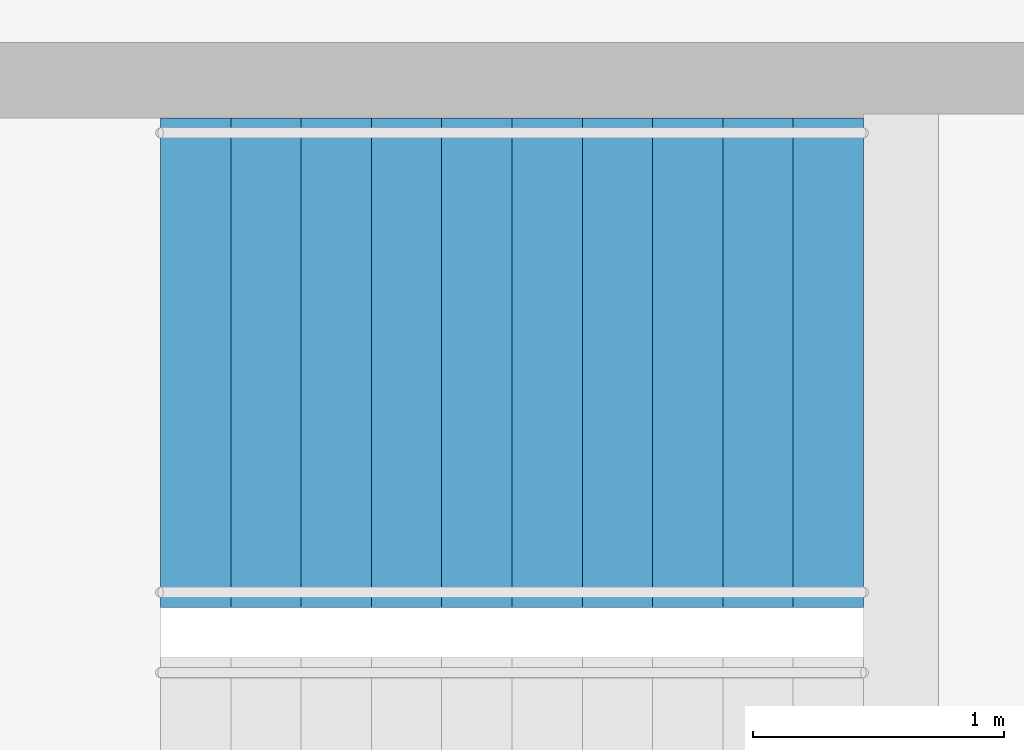
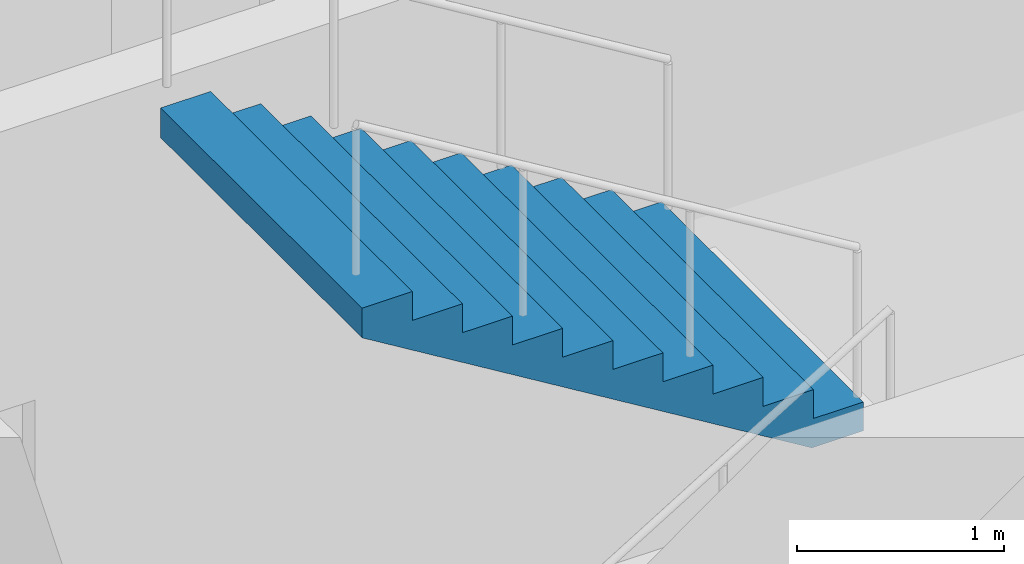
# One storey, part 21 of 24: 1 stair flight, 1 element without a shape of its own.
"""IFC4 building model written with IfcOpenShell, lengths in metres."""

from ifc_helpers import new_model, si_unit, direction, frame, origin, place, context, subcontext, project, spatial, triangles, material, type_object, element, aggregate, save


model = new_model("IFC4")

# Units and contexts
model_context = context("Model", 3, precision=1e-05, world=origin(), true_north=direction((0.0, 1.0)))
body_context = subcontext(model_context, "Body", "Model", "MODEL_VIEW")
ifc_project = project(units=[si_unit("LENGTHUNIT", "METRE"), si_unit("AREAUNIT", "SQUARE_METRE"), si_unit("VOLUMEUNIT", "CUBIC_METRE"), si_unit("PLANEANGLEUNIT", "RADIAN"), si_unit("MASSUNIT", "GRAM", prefix="KILO")], contexts=[model_context])

# Site, building, storey
site_placement = place(None, origin())
site = spatial("IfcSite", under=ifc_project, at=site_placement, CompositionType="ELEMENT")
building_placement = place(site_placement, origin())
building = spatial("IfcBuilding", under=site, at=building_placement, Name="Orbita Commons", CompositionType="ELEMENT")
storey_placement = place(building_placement, frame((0.0, 0.0, 235.300048828125)))
storey = spatial("IfcBuildingStorey", under=building, at=storey_placement, Name="L58", CompositionType="ELEMENT", Elevation=235.300048828125)

# Stair, stair flight
ifc_material_1 = material(Name="Precast concrete C40/50", Category="concrete")
stair_type = type_object("IfcStairType", Name="Exit stair S1 2 flights 11 risers 170", PredefinedType="HALF_TURN_STAIR", material=ifc_material_1)
stair_placement = place(storey_placement, origin())
stair = element("IfcStair", 1, at=stair_placement, inside=storey, type_object=stair_type, Name="Exit stair S1 L58", PredefinedType="HALF_TURN_STAIR")
ifc_material_2 = material(Name="Precast concrete C40/50", Category="concrete")
stair_flight_type = type_object("IfcStairFlightType", Name="Stair flight 11 risers 170 x 280", PredefinedType="STRAIGHT", material=ifc_material_2)
stair_flight_placement = place(storey_placement, frame((23.25, 29.27490234375, 1.875), z_axis=(0.0, 0.0, 1.0), x_axis=(-1.0, 0.0, 0.0)))
stair_flight = element("IfcStairFlight", 2, at=stair_flight_placement, type_object=stair_flight_type, Name="S1 flight 2", NumberOfRisers=11, NumberOfTreads=10, PredefinedType="STRAIGHT", RiserHeight=0.170454545, TreadLength=0.28, context=body_context, shape_type="Tessellation", body=[
    triangles([(0.0, 0.974976, 0.0), (0.0, 0.974976, 0.021307), (0.0, 0.81248, 0.021307), (0.0, 0.81248, 0.0), (0.0, 0.649984, 0.021307), (0.0, 0.649984, 0.0), (0.0, 0.487488, 0.021307), (0.0, 0.487488, 0.0), (0.0, 0.324992, 0.021307), (0.0, 0.324992, 0.0), (0.0, 0.162496, 0.021307), (0.0, 0.162496, 0.0), (0.0, 0.0, 0.021307), (0.0, 0.0, 0.0), (0.0, -0.162496, 0.021307), (0.0, -0.162496, 0.0), (0.0, -0.324992, 0.021307), (0.0, -0.324992, 0.0), (0.0, -0.487488, 0.021307), (0.0, -0.487488, 0.0), (0.0, -0.649984, 0.021307), (0.0, -0.649984, 0.0), (0.0, -0.81248, 0.021307), (0.0, -0.81248, 0.0), (0.0, -0.974976, 0.021307), (0.0, -0.974976, 0.0), (0.0, 0.974976, 0.042614), (0.0, 0.81248, 0.042614), (0.0, 0.649984, 0.042614), (0.0, 0.487488, 0.042614), (0.0, 0.324992, 0.042614), (0.0, 0.162496, 0.042614), (0.0, 0.0, 0.042614), (0.0, -0.162496, 0.042614), (0.0, -0.324992, 0.042614), (0.0, -0.487488, 0.042614), (0.0, -0.649984, 0.042614), (0.0, -0.81248, 0.042614), (0.0, -0.974976, 0.042614), (0.0, 0.974976, 0.06392), (0.0, 0.81248, 0.06392), (0.0, 0.649984, 0.06392), (0.0, 0.487488, 0.06392), (0.0, 0.324992, 0.06392), (0.0, 0.162496, 0.06392), (0.0, 0.0, 0.06392), (0.0, -0.162496, 0.06392), (0.0, -0.324992, 0.06392), (0.0, -0.487488, 0.06392), (0.0, -0.649984, 0.06392), (0.0, -0.81248, 0.06392), (0.0, -0.974976, 0.06392), (0.0, 0.974976, 0.085227), (0.0, 0.81248, 0.085227), (0.0, 0.649984, 0.085227), (0.0, 0.487488, 0.085227), (0.0, 0.324992, 0.085227), (0.0, 0.162496, 0.085227), (0.0, 0.0, 0.085227), (0.0, -0.162496, 0.085227), (0.0, -0.324992, 0.085227), (0.0, -0.487488, 0.085227), (0.0, -0.649984, 0.085227), (0.0, -0.81248, 0.085227), (0.0, -0.974976, 0.085227), (0.0, 0.974976, 0.106534), (0.0, 0.81248, 0.106534), (0.0, 0.649984, 0.106534), (0.0, 0.487488, 0.106534), (0.0, 0.324992, 0.106534), (0.0, 0.162496, 0.106534), (0.0, 0.0, 0.106534), (0.0, -0.162496, 0.106534), (0.0, -0.324992, 0.106534), (0.0, -0.487488, 0.106534), (0.0, -0.649984, 0.106534), (0.0, -0.81248, 0.106534), (0.0, -0.974976, 0.106534), (0.0, 0.974976, 0.127841), (0.0, 0.81248, 0.127841), (0.0, 0.649984, 0.127841), (0.0, 0.487488, 0.127841), (0.0, 0.324992, 0.127841), (0.0, 0.162496, 0.127841), (0.0, 0.0, 0.127841), (0.0, -0.162496, 0.127841), (0.0, -0.324992, 0.127841), (0.0, -0.487488, 0.127841), (0.0, -0.649984, 0.127841), (0.0, -0.81248, 0.127841), (0.0, -0.974976, 0.127841), (0.0, 0.974976, 0.149148), (0.0, 0.81248, 0.149148), (0.0, 0.649984, 0.149148), (0.0, 0.487488, 0.149148), (0.0, 0.324992, 0.149148), (0.0, 0.162496, 0.149148), (0.0, 0.0, 0.149148), (0.0, -0.162496, 0.149148), (0.0, -0.324992, 0.149148), (0.0, -0.487488, 0.149148), (0.0, -0.649984, 0.149148), (0.0, -0.81248, 0.149148), (0.0, -0.974976, 0.149148), (0.0, 0.974976, 0.170455), (0.0, 0.81248, 0.170455), (0.0, 0.649984, 0.170455), (0.0, 0.487488, 0.170455), (0.0, 0.324992, 0.170455), (0.0, 0.162496, 0.170455), (0.0, 0.0, 0.170455), (0.0, -0.162496, 0.170455), (0.0, -0.324992, 0.170455), (0.0, -0.487488, 0.170455), (0.0, -0.649984, 0.170455), (0.0, -0.81248, 0.170455), (0.0, -0.974976, 0.170455), (0.28, 0.974976, 0.170455), (0.28, 0.81248, 0.170455), (0.28, 0.649984, 0.170455), (0.28, 0.487488, 0.170455), (0.28, 0.324992, 0.170455), (0.28, 0.162496, 0.170455), (0.28, 0.0, 0.170455), (0.28, -0.162496, 0.170455), (0.28, -0.324992, 0.170455), (0.28, -0.487488, 0.170455), (0.28, -0.649984, 0.170455), (0.28, -0.81248, 0.170455), (0.28, -0.974976, 0.170455), (0.28, 0.974976, 0.340909), (0.28, 0.81248, 0.340909), (0.28, 0.649984, 0.340909), (0.28, 0.487488, 0.340909), (0.28, 0.324992, 0.340909), (0.28, 0.162496, 0.340909), (0.28, 0.0, 0.340909), (0.28, -0.162496, 0.340909), (0.28, -0.324992, 0.340909), (0.28, -0.487488, 0.340909), (0.28, -0.649984, 0.340909), (0.28, -0.81248, 0.340909), (0.28, -0.974976, 0.340909), (0.56, 0.974976, 0.340909), (0.56, 0.81248, 0.340909), (0.56, 0.649984, 0.340909), (0.56, 0.487488, 0.340909), (0.56, 0.324992, 0.340909), (0.56, 0.162496, 0.340909), (0.56, 0.0, 0.340909), (0.56, -0.162496, 0.340909), (0.56, -0.324992, 0.340909), (0.56, -0.487488, 0.340909), (0.56, -0.649984, 0.340909), (0.56, -0.81248, 0.340909), (0.56, -0.974976, 0.340909), (0.56, 0.974976, 0.511364), (0.56, 0.81248, 0.511364), (0.56, 0.649984, 0.511364), (0.56, 0.487488, 0.511364), (0.56, 0.324992, 0.511364), (0.56, 0.162496, 0.511364), (0.56, 0.0, 0.511364), (0.56, -0.162496, 0.511364), (0.56, -0.324992, 0.511364), (0.56, -0.487488, 0.511364), (0.56, -0.649984, 0.511364), (0.56, -0.81248, 0.511364), (0.56, -0.974976, 0.511364), (0.84, 0.974976, 0.511364), (0.84, 0.81248, 0.511364), (0.84, 0.649984, 0.511364), (0.84, 0.487488, 0.511364), (0.84, 0.324992, 0.511364), (0.84, 0.162496, 0.511364), (0.84, 0.0, 0.511364), (0.84, -0.162496, 0.511364), (0.84, -0.324992, 0.511364), (0.84, -0.487488, 0.511364), (0.84, -0.649984, 0.511364), (0.84, -0.81248, 0.511364), (0.84, -0.974976, 0.511364), (0.84, 0.974976, 0.681818), (0.84, 0.81248, 0.681818), (0.84, 0.649984, 0.681818), (0.84, 0.487488, 0.681818), (0.84, 0.324992, 0.681818), (0.84, 0.162496, 0.681818), (0.84, 0.0, 0.681818), (0.84, -0.162496, 0.681818), (0.84, -0.324992, 0.681818), (0.84, -0.487488, 0.681818), (0.84, -0.649984, 0.681818), (0.84, -0.81248, 0.681818), (0.84, -0.974976, 0.681818), (1.12, 0.974976, 0.681818), (1.12, 0.81248, 0.681818), (1.12, 0.649984, 0.681818), (1.12, 0.487488, 0.681818), (1.12, 0.324992, 0.681818), (1.12, 0.162496, 0.681818), (1.12, 0.0, 0.681818), (1.12, -0.162496, 0.681818), (1.12, -0.324992, 0.681818), (1.12, -0.487488, 0.681818), (1.12, -0.649984, 0.681818), (1.12, -0.81248, 0.681818), (1.12, -0.974976, 0.681818), (1.12, 0.974976, 0.852273), (1.12, 0.81248, 0.852273), (1.12, 0.649984, 0.852273), (1.12, 0.487488, 0.852273), (1.12, 0.324992, 0.852273), (1.12, 0.162496, 0.852273), (1.12, 0.0, 0.852273), (1.12, -0.162496, 0.852273), (1.12, -0.324992, 0.852273), (1.12, -0.487488, 0.852273), (1.12, -0.649984, 0.852273), (1.12, -0.81248, 0.852273), (1.12, -0.974976, 0.852273), (1.4, 0.974976, 0.852273), (1.4, 0.81248, 0.852273), (1.4, 0.649984, 0.852273), (1.4, 0.487488, 0.852273), (1.4, 0.324992, 0.852273), (1.4, 0.162496, 0.852273), (1.4, 0.0, 0.852273), (1.4, -0.162496, 0.852273), (1.4, -0.324992, 0.852273), (1.4, -0.487488, 0.852273), (1.4, -0.649984, 0.852273), (1.4, -0.81248, 0.852273), (1.4, -0.974976, 0.852273), (1.4, 0.974976, 1.022727), (1.4, 0.81248, 1.022727), (1.4, 0.649984, 1.022727), (1.4, 0.487488, 1.022727), (1.4, 0.324992, 1.022727), (1.4, 0.162496, 1.022727), (1.4, 0.0, 1.022727), (1.4, -0.162496, 1.022727), (1.4, -0.324992, 1.022727), (1.4, -0.487488, 1.022727), (1.4, -0.649984, 1.022727), (1.4, -0.81248, 1.022727), (1.4, -0.974976, 1.022727), (1.68, 0.974976, 1.022727), (1.68, 0.81248, 1.022727), (1.68, 0.649984, 1.022727), (1.68, 0.487488, 1.022727), (1.68, 0.324992, 1.022727), (1.68, 0.162496, 1.022727), (1.68, 0.0, 1.022727), (1.68, -0.162496, 1.022727), (1.68, -0.324992, 1.022727), (1.68, -0.487488, 1.022727), (1.68, -0.649984, 1.022727), (1.68, -0.81248, 1.022727), (1.68, -0.974976, 1.022727), (1.68, 0.974976, 1.193182), (1.68, 0.81248, 1.193182), (1.68, 0.649984, 1.193182), (1.68, 0.487488, 1.193182), (1.68, 0.324992, 1.193182), (1.68, 0.162496, 1.193182), (1.68, 0.0, 1.193182), (1.68, -0.162496, 1.193182), (1.68, -0.324992, 1.193182), (1.68, -0.487488, 1.193182), (1.68, -0.649984, 1.193182), (1.68, -0.81248, 1.193182), (1.68, -0.974976, 1.193182), (1.96, 0.974976, 1.193182), (1.96, 0.81248, 1.193182), (1.96, 0.649984, 1.193182), (1.96, 0.487488, 1.193182), (1.96, 0.324992, 1.193182), (1.96, 0.162496, 1.193182), (1.96, 0.0, 1.193182), (1.96, -0.162496, 1.193182), (1.96, -0.324992, 1.193182), (1.96, -0.487488, 1.193182), (1.96, -0.649984, 1.193182), (1.96, -0.81248, 1.193182), (1.96, -0.974976, 1.193182), (1.96, 0.974976, 1.363636), (1.96, 0.81248, 1.363636), (1.96, 0.649984, 1.363636), (1.96, 0.487488, 1.363636), (1.96, 0.324992, 1.363636), (1.96, 0.162496, 1.363636), (1.96, 0.0, 1.363636), (1.96, -0.162496, 1.363636), (1.96, -0.324992, 1.363636), (1.96, -0.487488, 1.363636), (1.96, -0.649984, 1.363636), (1.96, -0.81248, 1.363636), (1.96, -0.974976, 1.363636), (2.24, 0.974976, 1.363636), (2.24, 0.81248, 1.363636), (2.24, 0.649984, 1.363636), (2.24, 0.487488, 1.363636), (2.24, 0.324992, 1.363636), (2.24, 0.162496, 1.363636), (2.24, 0.0, 1.363636), (2.24, -0.162496, 1.363636), (2.24, -0.324992, 1.363636), (2.24, -0.487488, 1.363636), (2.24, -0.649984, 1.363636), (2.24, -0.81248, 1.363636), (2.24, -0.974976, 1.363636), (2.24, 0.974976, 1.534091), (2.24, 0.81248, 1.534091), (2.24, 0.649984, 1.534091), (2.24, 0.487488, 1.534091), (2.24, 0.324992, 1.534091), (2.24, 0.162496, 1.534091), (2.24, 0.0, 1.534091), (2.24, -0.162496, 1.534091), (2.24, -0.324992, 1.534091), (2.24, -0.487488, 1.534091), (2.24, -0.649984, 1.534091), (2.24, -0.81248, 1.534091), (2.24, -0.974976, 1.534091), (2.52, 0.974976, 1.534091), (2.52, 0.81248, 1.534091), (2.52, 0.649984, 1.534091), (2.52, 0.487488, 1.534091), (2.52, 0.324992, 1.534091), (2.52, 0.162496, 1.534091), (2.52, 0.0, 1.534091), (2.52, -0.162496, 1.534091), (2.52, -0.324992, 1.534091), (2.52, -0.487488, 1.534091), (2.52, -0.649984, 1.534091), (2.52, -0.81248, 1.534091), (2.52, -0.974976, 1.534091), (2.52, 0.974976, 1.704545), (2.52, 0.81248, 1.704545), (2.52, 0.649984, 1.704545), (2.52, 0.487488, 1.704545), (2.52, 0.324992, 1.704545), (2.52, 0.162496, 1.704545), (2.52, 0.0, 1.704545), (2.52, -0.162496, 1.704545), (2.52, -0.324992, 1.704545), (2.52, -0.487488, 1.704545), (2.52, -0.649984, 1.704545), (2.52, -0.81248, 1.704545), (2.52, -0.974976, 1.704545), (2.8, 0.974976, 1.704545), (2.8, 0.81248, 1.704545), (2.8, 0.649984, 1.704545), (2.8, 0.487488, 1.704545), (2.8, 0.324992, 1.704545), (2.8, 0.162496, 1.704545), (2.8, 0.0, 1.704545), (2.8, -0.162496, 1.704545), (2.8, -0.324992, 1.704545), (2.8, -0.487488, 1.704545), (2.8, -0.649984, 1.704545), (2.8, -0.81248, 1.704545), (2.8, -0.974976, 1.704545), (2.8, 0.974976, 1.682609), (2.8, 0.81248, 1.682609), (2.8, 0.649984, 1.682609), (2.8, 0.487488, 1.682609), (2.8, 0.324992, 1.682609), (2.8, 0.162496, 1.682609), (2.8, 0.0, 1.682609), (2.8, -0.162496, 1.682609), (2.8, -0.324992, 1.682609), (2.8, -0.487488, 1.682609), (2.8, -0.649984, 1.682609), (2.8, -0.81248, 1.682609), (2.8, -0.974976, 1.682609), (2.8, 0.974976, 1.660672), (2.8, 0.81248, 1.660672), (2.8, 0.649984, 1.660672), (2.8, 0.487488, 1.660672), (2.8, 0.324992, 1.660672), (2.8, 0.162496, 1.660672), (2.8, 0.0, 1.660672), (2.8, -0.162496, 1.660672), (2.8, -0.324992, 1.660672), (2.8, -0.487488, 1.660672), (2.8, -0.649984, 1.660672), (2.8, -0.81248, 1.660672), (2.8, -0.974976, 1.660672), (2.8, 0.974976, 1.638735), (2.8, 0.81248, 1.638735), (2.8, 0.649984, 1.638735), (2.8, 0.487488, 1.638735), (2.8, 0.324992, 1.638735), (2.8, 0.162496, 1.638735), (2.8, 0.0, 1.638735), (2.8, -0.162496, 1.638735), (2.8, -0.324992, 1.638735), (2.8, -0.487488, 1.638735), (2.8, -0.649984, 1.638735), (2.8, -0.81248, 1.638735), (2.8, -0.974976, 1.638735), (2.8, 0.974976, 1.616798), (2.8, 0.81248, 1.616798), (2.8, 0.649984, 1.616798), (2.8, 0.487488, 1.616798), (2.8, 0.324992, 1.616798), (2.8, 0.162496, 1.616798), (2.8, 0.0, 1.616798), (2.8, -0.162496, 1.616798), (2.8, -0.324992, 1.616798), (2.8, -0.487488, 1.616798), (2.8, -0.649984, 1.616798), (2.8, -0.81248, 1.616798), (2.8, -0.974976, 1.616798), (2.8, 0.974976, 1.594861), (2.8, 0.81248, 1.594861), (2.8, 0.649984, 1.594861), (2.8, 0.487488, 1.594861), (2.8, 0.324992, 1.594861), (2.8, 0.162496, 1.594861), (2.8, 0.0, 1.594861), (2.8, -0.162496, 1.594861), (2.8, -0.324992, 1.594861), (2.8, -0.487488, 1.594861), (2.8, -0.649984, 1.594861), (2.8, -0.81248, 1.594861), (2.8, -0.974976, 1.594861), (2.8, 0.974976, 1.572925), (2.8, 0.81248, 1.572925), (2.8, 0.649984, 1.572925), (2.8, 0.487488, 1.572925), (2.8, 0.324992, 1.572925), (2.8, 0.162496, 1.572925), (2.8, 0.0, 1.572925), (2.8, -0.162496, 1.572925), (2.8, -0.324992, 1.572925), (2.8, -0.487488, 1.572925), (2.8, -0.649984, 1.572925), (2.8, -0.81248, 1.572925), (2.8, -0.974976, 1.572925), (2.8, 0.974976, 1.550988), (2.8, 0.81248, 1.550988), (2.8, 0.649984, 1.550988), (2.8, 0.487488, 1.550988), (2.8, 0.324992, 1.550988), (2.8, 0.162496, 1.550988), (2.8, 0.0, 1.550988), (2.8, -0.162496, 1.550988), (2.8, -0.324992, 1.550988), (2.8, -0.487488, 1.550988), (2.8, -0.649984, 1.550988), (2.8, -0.81248, 1.550988), (2.8, -0.974976, 1.550988), (2.8, 0.974976, 1.529051), (2.8, 0.81248, 1.529051), (2.8, 0.649984, 1.529051), (2.8, 0.487488, 1.529051), (2.8, 0.324992, 1.529051), (2.8, 0.162496, 1.529051), (2.8, 0.0, 1.529051), (2.8, -0.162496, 1.529051), (2.8, -0.324992, 1.529051), (2.8, -0.487488, 1.529051), (2.8, -0.649984, 1.529051), (2.8, -0.81248, 1.529051), (2.8, -0.974976, 1.529051), (0.288279, 0.974976, 0.0), (0.288279, 0.81248, 0.0), (0.288279, 0.649984, 0.0), (0.288279, 0.487488, 0.0), (0.288279, 0.324992, 0.0), (0.288279, 0.162496, 0.0), (0.288279, 0.0, 0.0), (0.288279, -0.162496, 0.0), (0.288279, -0.324992, 0.0), (0.288279, -0.487488, 0.0), (0.288279, -0.649984, 0.0), (0.288279, -0.81248, 0.0), (0.288279, -0.974976, 0.0)], [[3, 2, 1], [4, 3, 1], [5, 3, 4], [6, 5, 4], [7, 5, 6], [8, 7, 6], [9, 7, 8], [10, 9, 8], [11, 9, 10], [12, 11, 10], [13, 11, 12], [14, 13, 12], [15, 13, 14], [16, 15, 14], [17, 15, 16], [18, 17, 16], [19, 17, 18], [20, 19, 18], [21, 19, 20], [22, 21, 20], [23, 21, 22], [24, 23, 22], [25, 23, 24], [26, 25, 24], [28, 27, 2], [3, 28, 2], [29, 28, 3], [5, 29, 3], [30, 29, 5], [7, 30, 5], [31, 30, 7], [9, 31, 7], [32, 31, 9], [11, 32, 9], [33, 32, 11], [13, 33, 11], [34, 33, 13], [15, 34, 13], [35, 34, 15], [17, 35, 15], [36, 35, 17], [19, 36, 17], [37, 36, 19], [21, 37, 19], [38, 37, 21], [23, 38, 21], [39, 38, 23], [25, 39, 23], [41, 40, 27], [28, 41, 27], [42, 41, 28], [29, 42, 28], [43, 42, 29], [30, 43, 29], [44, 43, 30], [31, 44, 30], [45, 44, 31], [32, 45, 31], [46, 45, 32], [33, 46, 32], [47, 46, 33], [34, 47, 33], [48, 47, 34], [35, 48, 34], [49, 48, 35], [36, 49, 35], [50, 49, 36], [37, 50, 36], [51, 50, 37], [38, 51, 37], [52, 51, 38], [39, 52, 38], [54, 53, 40], [41, 54, 40], [55, 54, 41], [42, 55, 41], [56, 55, 42], [43, 56, 42], [57, 56, 43], [44, 57, 43], [58, 57, 44], [45, 58, 44], [59, 58, 45], [46, 59, 45], [60, 59, 46], [47, 60, 46], [61, 60, 47], [48, 61, 47], [62, 61, 48], [49, 62, 48], [63, 62, 49], [50, 63, 49], [64, 63, 50], [51, 64, 50], [65, 64, 51], [52, 65, 51], [67, 66, 53], [54, 67, 53], [68, 67, 54], [55, 68, 54], [69, 68, 55], [56, 69, 55], [70, 69, 56], [57, 70, 56], [71, 70, 57], [58, 71, 57], [72, 71, 58], [59, 72, 58], [73, 72, 59], [60, 73, 59], [74, 73, 60], [61, 74, 60], [75, 74, 61], [62, 75, 61], [76, 75, 62], [63, 76, 62], [77, 76, 63], [64, 77, 63], [78, 77, 64], [65, 78, 64], [80, 79, 66], [67, 80, 66], [81, 80, 67], [68, 81, 67], [82, 81, 68], [69, 82, 68], [83, 82, 69], [70, 83, 69], [84, 83, 70], [71, 84, 70], [85, 84, 71], [72, 85, 71], [86, 85, 72], [73, 86, 72], [87, 86, 73], [74, 87, 73], [88, 87, 74], [75, 88, 74], [89, 88, 75], [76, 89, 75], [90, 89, 76], [77, 90, 76], [91, 90, 77], [78, 91, 77], [93, 92, 79], [80, 93, 79], [94, 93, 80], [81, 94, 80], [95, 94, 81], [82, 95, 81], [96, 95, 82], [83, 96, 82], [97, 96, 83], [84, 97, 83], [98, 97, 84], [85, 98, 84], [99, 98, 85], [86, 99, 85], [100, 99, 86], [87, 100, 86], [101, 100, 87], [88, 101, 87], [102, 101, 88], [89, 102, 88], [103, 102, 89], [90, 103, 89], [104, 103, 90], [91, 104, 90], [106, 105, 92], [93, 106, 92], [107, 106, 93], [94, 107, 93], [108, 107, 94], [95, 108, 94], [109, 108, 95], [96, 109, 95], [110, 109, 96], [97, 110, 96], [111, 110, 97], [98, 111, 97], [112, 111, 98], [99, 112, 98], [113, 112, 99], [100, 113, 99], [114, 113, 100], [101, 114, 100], [115, 114, 101], [102, 115, 101], [116, 115, 102], [103, 116, 102], [117, 116, 103], [104, 117, 103], [119, 118, 105], [106, 119, 105], [120, 119, 106], [107, 120, 106], [121, 120, 107], [108, 121, 107], [122, 121, 108], [109, 122, 108], [123, 122, 109], [110, 123, 109], [124, 123, 110], [111, 124, 110], [125, 124, 111], [112, 125, 111], [126, 125, 112], [113, 126, 112], [127, 126, 113], [114, 127, 113], [128, 127, 114], [115, 128, 114], [129, 128, 115], [116, 129, 115], [130, 129, 116], [117, 130, 116], [132, 131, 118], [119, 132, 118], [133, 132, 119], [120, 133, 119], [134, 133, 120], [121, 134, 120], [135, 134, 121], [122, 135, 121], [136, 135, 122], [123, 136, 122], [137, 136, 123], [124, 137, 123], [138, 137, 124], [125, 138, 124], [139, 138, 125], [126, 139, 125], [140, 139, 126], [127, 140, 126], [141, 140, 127], [128, 141, 127], [142, 141, 128], [129, 142, 128], [143, 142, 129], [130, 143, 129], [145, 144, 131], [132, 145, 131], [146, 145, 132], [133, 146, 132], [147, 146, 133], [134, 147, 133], [148, 147, 134], [135, 148, 134], [149, 148, 135], [136, 149, 135], [150, 149, 136], [137, 150, 136], [151, 150, 137], [138, 151, 137], [152, 151, 138], [139, 152, 138], [153, 152, 139], [140, 153, 139], [154, 153, 140], [141, 154, 140], [155, 154, 141], [142, 155, 141], [156, 155, 142], [143, 156, 142], [158, 157, 144], [145, 158, 144], [159, 158, 145], [146, 159, 145], [160, 159, 146], [147, 160, 146], [161, 160, 147], [148, 161, 147], [162, 161, 148], [149, 162, 148], [163, 162, 149], [150, 163, 149], [164, 163, 150], [151, 164, 150], [165, 164, 151], [152, 165, 151], [166, 165, 152], [153, 166, 152], [167, 166, 153], [154, 167, 153], [168, 167, 154], [155, 168, 154], [169, 168, 155], [156, 169, 155], [171, 170, 157], [158, 171, 157], [172, 171, 158], [159, 172, 158], [173, 172, 159], [160, 173, 159], [174, 173, 160], [161, 174, 160], [175, 174, 161], [162, 175, 161], [176, 175, 162], [163, 176, 162], [177, 176, 163], [164, 177, 163], [178, 177, 164], [165, 178, 164], [179, 178, 165], [166, 179, 165], [180, 179, 166], [167, 180, 166], [181, 180, 167], [168, 181, 167], [182, 181, 168], [169, 182, 168], [184, 183, 170], [171, 184, 170], [185, 184, 171], [172, 185, 171], [186, 185, 172], [173, 186, 172], [187, 186, 173], [174, 187, 173], [188, 187, 174], [175, 188, 174], [189, 188, 175], [176, 189, 175], [190, 189, 176], [177, 190, 176], [191, 190, 177], [178, 191, 177], [192, 191, 178], [179, 192, 178], [193, 192, 179], [180, 193, 179], [194, 193, 180], [181, 194, 180], [195, 194, 181], [182, 195, 181], [197, 196, 183], [184, 197, 183], [198, 197, 184], [185, 198, 184], [199, 198, 185], [186, 199, 185], [200, 199, 186], [187, 200, 186], [201, 200, 187], [188, 201, 187], [202, 201, 188], [189, 202, 188], [203, 202, 189], [190, 203, 189], [204, 203, 190], [191, 204, 190], [205, 204, 191], [192, 205, 191], [206, 205, 192], [193, 206, 192], [207, 206, 193], [194, 207, 193], [208, 207, 194], [195, 208, 194], [210, 209, 196], [197, 210, 196], [211, 210, 197], [198, 211, 197], [212, 211, 198], [199, 212, 198], [213, 212, 199], [200, 213, 199], [214, 213, 200], [201, 214, 200], [215, 214, 201], [202, 215, 201], [216, 215, 202], [203, 216, 202], [217, 216, 203], [204, 217, 203], [218, 217, 204], [205, 218, 204], [219, 218, 205], [206, 219, 205], [220, 219, 206], [207, 220, 206], [221, 220, 207], [208, 221, 207], [223, 222, 209], [210, 223, 209], [224, 223, 210], [211, 224, 210], [225, 224, 211], [212, 225, 211], [226, 225, 212], [213, 226, 212], [227, 226, 213], [214, 227, 213], [228, 227, 214], [215, 228, 214], [229, 228, 215], [216, 229, 215], [230, 229, 216], [217, 230, 216], [231, 230, 217], [218, 231, 217], [232, 231, 218], [219, 232, 218], [233, 232, 219], [220, 233, 219], [234, 233, 220], [221, 234, 220], [236, 235, 222], [223, 236, 222], [237, 236, 223], [224, 237, 223], [238, 237, 224], [225, 238, 224], [239, 238, 225], [226, 239, 225], [240, 239, 226], [227, 240, 226], [241, 240, 227], [228, 241, 227], [242, 241, 228], [229, 242, 228], [243, 242, 229], [230, 243, 229], [244, 243, 230], [231, 244, 230], [245, 244, 231], [232, 245, 231], [246, 245, 232], [233, 246, 232], [247, 246, 233], [234, 247, 233], [249, 248, 235], [236, 249, 235], [250, 249, 236], [237, 250, 236], [251, 250, 237], [238, 251, 237], [252, 251, 238], [239, 252, 238], [253, 252, 239], [240, 253, 239], [254, 253, 240], [241, 254, 240], [255, 254, 241], [242, 255, 241], [256, 255, 242], [243, 256, 242], [257, 256, 243], [244, 257, 243], [258, 257, 244], [245, 258, 244], [259, 258, 245], [246, 259, 245], [260, 259, 246], [247, 260, 246], [262, 261, 248], [249, 262, 248], [263, 262, 249], [250, 263, 249], [264, 263, 250], [251, 264, 250], [265, 264, 251], [252, 265, 251], [266, 265, 252], [253, 266, 252], [267, 266, 253], [254, 267, 253], [268, 267, 254], [255, 268, 254], [269, 268, 255], [256, 269, 255], [270, 269, 256], [257, 270, 256], [271, 270, 257], [258, 271, 257], [272, 271, 258], [259, 272, 258], [273, 272, 259], [260, 273, 259], [275, 274, 261], [262, 275, 261], [276, 275, 262], [263, 276, 262], [277, 276, 263], [264, 277, 263], [278, 277, 264], [265, 278, 264], [279, 278, 265], [266, 279, 265], [280, 279, 266], [267, 280, 266], [281, 280, 267], [268, 281, 267], [282, 281, 268], [269, 282, 268], [283, 282, 269], [270, 283, 269], [284, 283, 270], [271, 284, 270], [285, 284, 271], [272, 285, 271], [286, 285, 272], [273, 286, 272], [288, 287, 274], [275, 288, 274], [289, 288, 275], [276, 289, 275], [290, 289, 276], [277, 290, 276], [291, 290, 277], [278, 291, 277], [292, 291, 278], [279, 292, 278], [293, 292, 279], [280, 293, 279], [294, 293, 280], [281, 294, 280], [295, 294, 281], [282, 295, 281], [296, 295, 282], [283, 296, 282], [297, 296, 283], [284, 297, 283], [298, 297, 284], [285, 298, 284], [299, 298, 285], [286, 299, 285], [301, 300, 287], [288, 301, 287], [302, 301, 288], [289, 302, 288], [303, 302, 289], [290, 303, 289], [304, 303, 290], [291, 304, 290], [305, 304, 291], [292, 305, 291], [306, 305, 292], [293, 306, 292], [307, 306, 293], [294, 307, 293], [308, 307, 294], [295, 308, 294], [309, 308, 295], [296, 309, 295], [310, 309, 296], [297, 310, 296], [311, 310, 297], [298, 311, 297], [312, 311, 298], [299, 312, 298], [314, 313, 300], [301, 314, 300], [315, 314, 301], [302, 315, 301], [316, 315, 302], [303, 316, 302], [317, 316, 303], [304, 317, 303], [318, 317, 304], [305, 318, 304], [319, 318, 305], [306, 319, 305], [320, 319, 306], [307, 320, 306], [321, 320, 307], [308, 321, 307], [322, 321, 308], [309, 322, 308], [323, 322, 309], [310, 323, 309], [324, 323, 310], [311, 324, 310], [325, 324, 311], [312, 325, 311], [327, 326, 313], [314, 327, 313], [328, 327, 314], [315, 328, 314], [329, 328, 315], [316, 329, 315], [330, 329, 316], [317, 330, 316], [331, 330, 317], [318, 331, 317], [332, 331, 318], [319, 332, 318], [333, 332, 319], [320, 333, 319], [334, 333, 320], [321, 334, 320], [335, 334, 321], [322, 335, 321], [336, 335, 322], [323, 336, 322], [337, 336, 323], [324, 337, 323], [338, 337, 324], [325, 338, 324], [340, 339, 326], [327, 340, 326], [341, 340, 327], [328, 341, 327], [342, 341, 328], [329, 342, 328], [343, 342, 329], [330, 343, 329], [344, 343, 330], [331, 344, 330], [345, 344, 331], [332, 345, 331], [346, 345, 332], [333, 346, 332], [347, 346, 333], [334, 347, 333], [348, 347, 334], [335, 348, 334], [349, 348, 335], [336, 349, 335], [350, 349, 336], [337, 350, 336], [351, 350, 337], [338, 351, 337], [353, 352, 339], [340, 353, 339], [354, 353, 340], [341, 354, 340], [355, 354, 341], [342, 355, 341], [356, 355, 342], [343, 356, 342], [357, 356, 343], [344, 357, 343], [358, 357, 344], [345, 358, 344], [359, 358, 345], [346, 359, 345], [360, 359, 346], [347, 360, 346], [361, 360, 347], [348, 361, 347], [362, 361, 348], [349, 362, 348], [363, 362, 349], [350, 363, 349], [364, 363, 350], [351, 364, 350], [366, 365, 352], [353, 366, 352], [367, 366, 353], [354, 367, 353], [368, 367, 354], [355, 368, 354], [369, 368, 355], [356, 369, 355], [370, 369, 356], [357, 370, 356], [371, 370, 357], [358, 371, 357], [372, 371, 358], [359, 372, 358], [373, 372, 359], [360, 373, 359], [374, 373, 360], [361, 374, 360], [375, 374, 361], [362, 375, 361], [376, 375, 362], [363, 376, 362], [377, 376, 363], [364, 377, 363], [379, 378, 365], [366, 379, 365], [380, 379, 366], [367, 380, 366], [381, 380, 367], [368, 381, 367], [382, 381, 368], [369, 382, 368], [383, 382, 369], [370, 383, 369], [384, 383, 370], [371, 384, 370], [385, 384, 371], [372, 385, 371], [386, 385, 372], [373, 386, 372], [387, 386, 373], [374, 387, 373], [388, 387, 374], [375, 388, 374], [389, 388, 375], [376, 389, 375], [390, 389, 376], [377, 390, 376], [392, 391, 378], [379, 392, 378], [393, 392, 379], [380, 393, 379], [394, 393, 380], [381, 394, 380], [395, 394, 381], [382, 395, 381], [396, 395, 382], [383, 396, 382], [397, 396, 383], [384, 397, 383], [398, 397, 384], [385, 398, 384], [399, 398, 385], [386, 399, 385], [400, 399, 386], [387, 400, 386], [401, 400, 387], [388, 401, 387], [402, 401, 388], [389, 402, 388], [403, 402, 389], [390, 403, 389], [405, 404, 391], [392, 405, 391], [406, 405, 392], [393, 406, 392], [407, 406, 393], [394, 407, 393], [408, 407, 394], [395, 408, 394], [409, 408, 395], [396, 409, 395], [410, 409, 396], [397, 410, 396], [411, 410, 397], [398, 411, 397], [412, 411, 398], [399, 412, 398], [413, 412, 399], [400, 413, 399], [414, 413, 400], [401, 414, 400], [415, 414, 401], [402, 415, 401], [416, 415, 402], [403, 416, 402], [418, 417, 404], [405, 418, 404], [419, 418, 405], [406, 419, 405], [420, 419, 406], [407, 420, 406], [421, 420, 407], [408, 421, 407], [422, 421, 408], [409, 422, 408], [423, 422, 409], [410, 423, 409], [424, 423, 410], [411, 424, 410], [425, 424, 411], [412, 425, 411], [426, 425, 412], [413, 426, 412], [427, 426, 413], [414, 427, 413], [428, 427, 414], [415, 428, 414], [429, 428, 415], [416, 429, 415], [431, 430, 417], [418, 431, 417], [432, 431, 418], [419, 432, 418], [433, 432, 419], [420, 433, 419], [434, 433, 420], [421, 434, 420], [435, 434, 421], [422, 435, 421], [436, 435, 422], [423, 436, 422], [437, 436, 423], [424, 437, 423], [438, 437, 424], [425, 438, 424], [439, 438, 425], [426, 439, 425], [440, 439, 426], [427, 440, 426], [441, 440, 427], [428, 441, 427], [442, 441, 428], [429, 442, 428], [444, 443, 430], [431, 444, 430], [445, 444, 431], [432, 445, 431], [446, 445, 432], [433, 446, 432], [447, 446, 433], [434, 447, 433], [448, 447, 434], [435, 448, 434], [449, 448, 435], [436, 449, 435], [450, 449, 436], [437, 450, 436], [451, 450, 437], [438, 451, 437], [452, 451, 438], [439, 452, 438], [453, 452, 439], [440, 453, 439], [454, 453, 440], [441, 454, 440], [455, 454, 441], [442, 455, 441], [457, 456, 443], [444, 457, 443], [458, 457, 444], [445, 458, 444], [459, 458, 445], [446, 459, 445], [460, 459, 446], [447, 460, 446], [461, 460, 447], [448, 461, 447], [462, 461, 448], [449, 462, 448], [463, 462, 449], [450, 463, 449], [464, 463, 450], [451, 464, 450], [465, 464, 451], [452, 465, 451], [466, 465, 452], [453, 466, 452], [467, 466, 453], [454, 467, 453], [468, 467, 454], [455, 468, 454], [470, 469, 456], [457, 470, 456], [471, 470, 457], [458, 471, 457], [472, 471, 458], [459, 472, 458], [473, 472, 459], [460, 473, 459], [474, 473, 460], [461, 474, 460], [475, 474, 461], [462, 475, 461], [476, 475, 462], [463, 476, 462], [477, 476, 463], [464, 477, 463], [478, 477, 464], [465, 478, 464], [479, 478, 465], [466, 479, 465], [480, 479, 466], [467, 480, 466], [481, 480, 467], [468, 481, 467], [4, 1, 469], [470, 4, 469], [6, 4, 470], [471, 6, 470], [8, 6, 471], [472, 8, 471], [10, 8, 472], [473, 10, 472], [12, 10, 473], [474, 12, 473], [14, 12, 474], [475, 14, 474], [16, 14, 475], [476, 16, 475], [18, 16, 476], [477, 18, 476], [20, 18, 477], [478, 20, 477], [22, 20, 478], [479, 22, 478], [24, 22, 479], [480, 24, 479], [26, 24, 480], [481, 26, 480], [456, 469, 1], [26, 481, 468], [443, 456, 1], [26, 468, 455], [430, 443, 1], [26, 455, 442], [417, 430, 1], [26, 442, 429], [404, 417, 1], [26, 429, 416], [391, 404, 1], [26, 416, 403], [378, 391, 1], [26, 403, 390], [365, 378, 1], [26, 390, 377], [339, 352, 365], [377, 364, 351], [326, 339, 365], [377, 351, 338], [300, 313, 326], [338, 325, 312], [300, 326, 365], [377, 338, 312], [274, 287, 300], [312, 299, 286], [274, 300, 365], [377, 312, 286], [248, 261, 274], [286, 273, 260], [248, 274, 365], [377, 286, 260], [222, 235, 248], [260, 247, 234], [222, 248, 365], [377, 260, 234], [196, 209, 222], [234, 221, 208], [196, 222, 365], [377, 234, 208], [170, 183, 196], [208, 195, 182], [170, 196, 365], [377, 208, 182], [144, 157, 170], [182, 169, 156], [144, 170, 365], [377, 182, 156], [118, 131, 144], [156, 143, 130], [118, 144, 365], [377, 156, 130], [118, 365, 1], [26, 377, 130], [92, 105, 118], [130, 117, 104], [79, 92, 118], [130, 104, 91], [66, 79, 118], [130, 91, 78], [53, 66, 118], [130, 78, 65], [40, 53, 118], [130, 65, 52], [27, 40, 118], [130, 52, 39], [2, 27, 118], [130, 39, 25], [1, 2, 118], [130, 25, 26]], closed=True),
])
aggregate(stair, [stair_flight])

save(model, "model.ifc")
